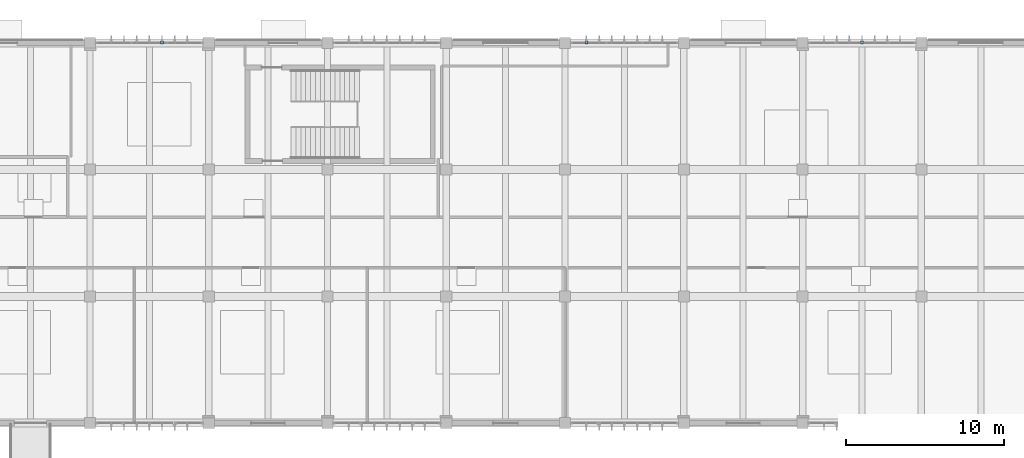
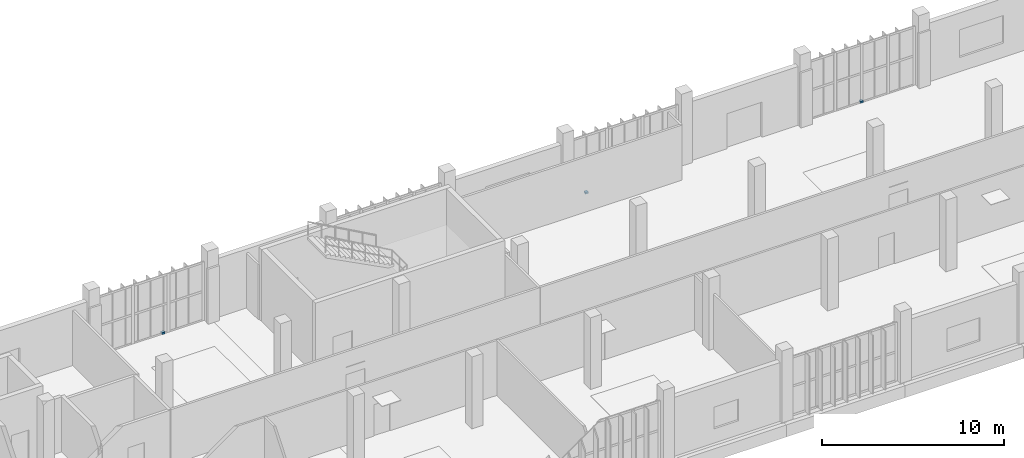
# One storey, part 57 of 72: 3 discrete accessories.
"""IFC4 building model written with IfcOpenShell, lengths in metres."""

from ifc_helpers import new_model, si_unit, direction, frame, origin, origin_2d, place, context, subcontext, project, spatial, rectangle, extrude, material, type_object, element, save


model = new_model("IFC4")

# Units and contexts
model_context = context("Model", 3, precision=1e-05, world=origin(), true_north=direction((0.0, 1.0)))
body_context = subcontext(model_context, "Body", "Model", "MODEL_VIEW")
ifc_project = project(units=[si_unit("LENGTHUNIT", "METRE"), si_unit("AREAUNIT", "SQUARE_METRE"), si_unit("VOLUMEUNIT", "CUBIC_METRE"), si_unit("PLANEANGLEUNIT", "RADIAN"), si_unit("MASSUNIT", "GRAM", prefix="KILO")], contexts=[model_context])

# Site, building, storey
site_placement = place(None, origin())
site = spatial("IfcSite", under=ifc_project, at=site_placement, CompositionType="ELEMENT")
building_placement = place(site_placement, origin())
building = spatial("IfcBuilding", under=site, at=building_placement, Name="Vourika Railside Aquatics Centre", CompositionType="ELEMENT")
storey_placement = place(building_placement, origin())
storey = spatial("IfcBuildingStorey", under=building, at=storey_placement, Name="L00", CompositionType="ELEMENT", Elevation=0.0)

# Discrete accessories
ifc_material = material(Name="Duplex stainless steel EN 1.4462", Category="steel")
discrete_accessory_type = type_object("IfcDiscreteAccessoryType", Name="ACC-BRK-180", PredefinedType="BRACKET", material=ifc_material)
for number, where, z_axis, x_axis, name in (
    (1, (70.550048828125, 116.030029296875, 0.0), (0.0, 0.0, 1.0), (0.0, 1.0, 0.0), "Stainless Fin Shoe Bracket BK-062"),
    (2, (97.35009765625, 116.030029296875, 0.0), (0.0, 0.0, 1.0), (0.0, 1.0, 0.0), "Stainless Fin Shoe Bracket BK-063"),
    (3, (114.75, 116.030029296875, 0.0), (0.0, 0.0, 1.0), (0.0, 1.0, 0.0), "Stainless Fin Shoe Bracket BK-064"),
):
    element("IfcDiscreteAccessory", number, at=place(storey_placement, frame(where, z_axis=z_axis, x_axis=x_axis)), inside=storey, type_object=discrete_accessory_type, Name=name, PredefinedType="BRACKET", context=body_context, shape_type="SweptSolid", body=[
        extrude(rectangle(XDim=0.179931640625, YDim=0.179931640625, at=origin_2d()), origin(), (0.0, 0.0, 1.0), 0.1201171875),
    ])

save(model, "model.ifc")
